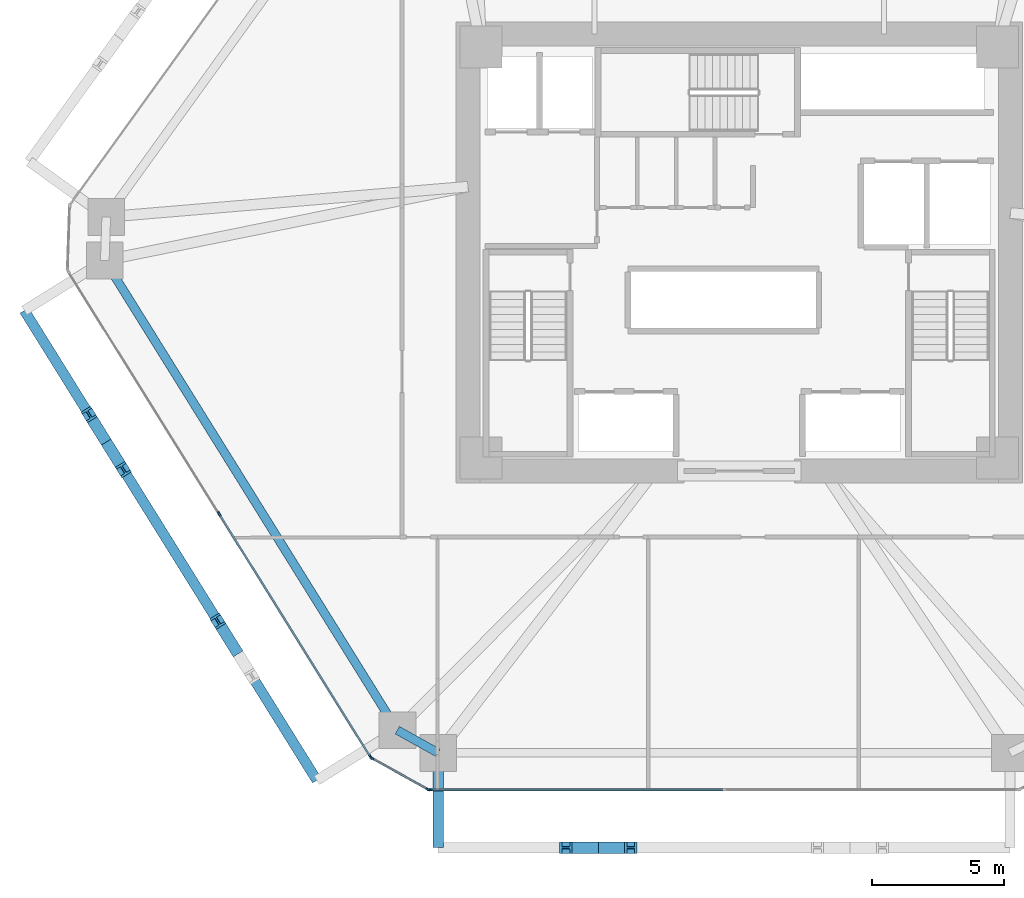
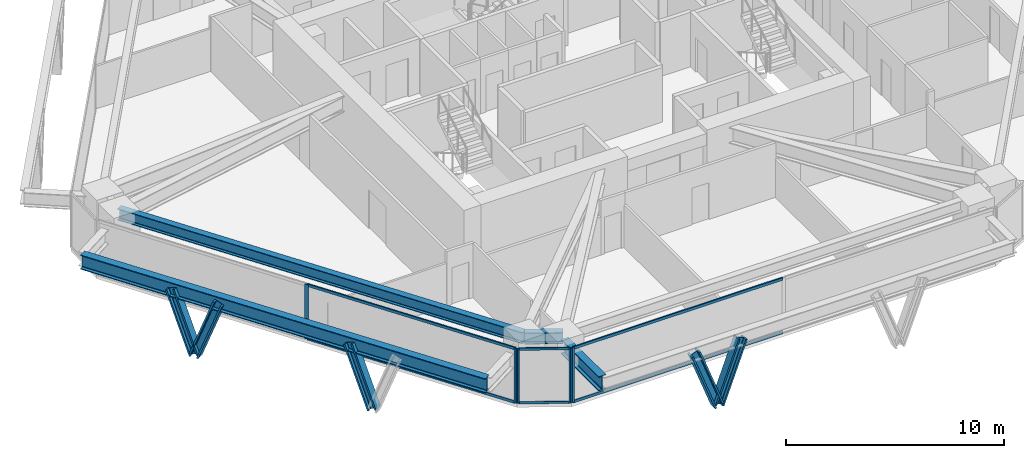
# One storey, part 2 of 15: 16 members, 4 beams, 3 elements without a shape of their own.
"""IFC4 building model written with IfcOpenShell, lengths in metres."""

from ifc_helpers import new_model, si_unit, direction, frame, origin, origin_2d, place, context, subcontext, project, spatial, rectangle, i_section, extrude, source, transform, mapped, material, layer, layer_set, material_profile, profile_set, type_object, type_shapes, element, aggregate, save


model = new_model("IFC4")

# Units and contexts
model_context = context("Model", 3, precision=1e-05, world=origin(), true_north=direction((0.0, 1.0)))
body_context = subcontext(model_context, "Body", "Model", "MODEL_VIEW")
ifc_project = project(units=[si_unit("LENGTHUNIT", "METRE"), si_unit("AREAUNIT", "SQUARE_METRE"), si_unit("VOLUMEUNIT", "CUBIC_METRE"), si_unit("PLANEANGLEUNIT", "RADIAN"), si_unit("MASSUNIT", "GRAM", prefix="KILO")], contexts=[model_context])

# Site, building, storey
site_placement = place(None, origin())
site = spatial("IfcSite", under=ifc_project, at=site_placement, CompositionType="ELEMENT")
building_placement = place(site_placement, origin())
building = spatial("IfcBuilding", under=site, at=building_placement, Name="Durnholm Broadcast Tower", CompositionType="ELEMENT")
storey_placement = place(building_placement, frame((0.0, 0.0, 55.5)))
storey = spatial("IfcBuildingStorey", under=building, at=storey_placement, Name="L13", CompositionType="ELEMENT", Elevation=55.5)

# Beams
ifc_material_1 = material(Name="Steel ASTM A992 Grade 50", Category="steel")
ifc_material_profile_1 = material_profile(ifc_material_1, i_section(OverallWidth=0.3291015625, OverallDepth=0.635009765625, WebThickness=0.017822265625, FlangeThickness=0.031005859375, FilletRadius=0.02783203125, at=origin_2d()), Name="W24X162")
ifc_profile_set_1 = profile_set([ifc_material_profile_1], Name="Steel ASTM A992 Grade 50")
beam_type_1 = type_object("IfcBeamType", Name="STL-SP-W24X162", PredefinedType="SPANDREL", material=ifc_profile_set_1)
shared_shape_1 = source(origin(), body_context, "Body", "SweptSolid", [
    extrude(i_section(OverallWidth=0.3291015625, OverallDepth=0.635009765625, WebThickness=0.017822265625, FlangeThickness=0.031005859375, FilletRadius=0.02783203125, at=origin_2d()), origin(), (0.0, 0.0, 1.0), 21.014404296875),
])
beam_1_placement = place(storey_placement, frame((-12.982666015625, -18.138427734375, 2.7275390625), z_axis=(-0.528595731543, 0.848873696491, 0.0), x_axis=(-0.848873696491, -0.528595731543, 0.0)))
element("IfcBeam", 1, at=beam_1_placement, inside=storey, type_object=beam_type_1, Name="L13 perimeter spandrel girder 01", PredefinedType="SPANDREL", context=body_context, shape_type="MappedRepresentation", body=[
    mapped(shared_shape_1, transform((0.0, 0.0, 0.0), x_axis=(1.0, 0.0, 0.0), y_axis=(0.0, 1.0, 0.0), z_axis=(0.0, 0.0, 1.0), scale=1.0)),
])
shared_shape_2 = source(origin(), body_context, "Body", "SweptSolid", [
    extrude(i_section(OverallWidth=0.3291015625, OverallDepth=0.635009765625, WebThickness=0.017822265625, FlangeThickness=0.031005859375, FilletRadius=0.02783203125, at=origin_2d()), origin(), (0.0, 0.0, 1.0), 1.774658203125),
])
type_shapes(beam_type_1, [shared_shape_1, shared_shape_2])
beam_2_placement = place(storey_placement, frame((-11.43115234375, -19.0, 2.7275390625), z_axis=(-0.874248107979, 0.485479397806, 0.0), x_axis=(-0.485479397806, -0.874248107979, 0.0)))
element("IfcBeam", 2, at=beam_2_placement, inside=storey, type_object=beam_type_1, Name="L13 perimeter spandrel girder 12", PredefinedType="SPANDREL", context=body_context, shape_type="MappedRepresentation", body=[
    mapped(shared_shape_2, transform((0.0, 0.0, 0.0), x_axis=(1.0, 0.0, 0.0), y_axis=(0.0, 1.0, 0.0), z_axis=(0.0, 0.0, 1.0), scale=1.0)),
])
ifc_material_profile_2 = material_profile(ifc_material_1, i_section(OverallWidth=0.385009765625, OverallDepth=0.802978515625, WebThickness=0.023681640625, FlangeThickness=0.0419921875, FilletRadius=0.032958984375, at=origin_2d()), Name="W30X261")
ifc_profile_set_2 = profile_set([ifc_material_profile_2], Name="Steel ASTM A992 Grade 50")
beam_type_2 = type_object("IfcBeamType", Name="BM-EXO-TIE", PredefinedType="USERDEFINED", material=ifc_profile_set_2)
shared_shape_3 = source(origin(), body_context, "Body", "SweptSolid", [
    extrude(i_section(OverallWidth=0.385009765625, OverallDepth=0.802978515625, WebThickness=0.023681640625, FlangeThickness=0.0419921875, FilletRadius=0.032958984375, at=origin_2d()), origin(), (0.0, 0.0, 1.0), 3.4560546875),
])
beam_3_placement = place(storey_placement, frame((-11.43115234375, -19.14404296875, 2.30859375), z_axis=(0.0, -1.0, 0.0), x_axis=(1.0, 0.0, 0.0)))
element("IfcBeam", 3, at=beam_3_placement, inside=storey, type_object=beam_type_2, Name="L13 exoskeleton stand-off tie bracket F1.1", ObjectType="GIRDER", PredefinedType="USERDEFINED", context=body_context, shape_type="MappedRepresentation", body=[
    mapped(shared_shape_3, transform((0.0, 0.0, 0.0), x_axis=(1.0, 0.0, 0.0), y_axis=(0.0, 1.0, 0.0), z_axis=(0.0, 0.0, 1.0), scale=1.0)),
])
shared_shape_4 = source(origin(), body_context, "Body", "SweptSolid", [
    extrude(i_section(OverallWidth=0.385009765625, OverallDepth=0.802978515625, WebThickness=0.023681640625, FlangeThickness=0.0419921875, FilletRadius=0.032958984375, at=origin_2d()), origin(), (0.0, 0.0, 1.0), 21.0146484375),
])
type_shapes(beam_type_2, [shared_shape_3, shared_shape_4])
beam_4_placement = place(storey_placement, frame((-27.146728515625, -2.20263671875, 2.30859375), z_axis=(0.528590518575, -0.848876942597, 0.0), x_axis=(0.848876942597, 0.528590518575, 0.0)))
element("IfcBeam", 4, at=beam_4_placement, inside=storey, type_object=beam_type_2, Name="L13 exoskeleton collector spandrel F6", PredefinedType="SPANDREL", context=body_context, shape_type="MappedRepresentation", body=[
    mapped(shared_shape_4, transform((0.0, 0.0, 0.0), x_axis=(1.0, 0.0, 0.0), y_axis=(0.0, 1.0, 0.0), z_axis=(0.0, 0.0, 1.0), scale=1.0)),
])

# Members
ifc_material_2 = material(Name="Steel ASTM A913 Grade 65", Category="steel")
ifc_material_profile_3 = material_profile(ifc_material_2, i_section(OverallWidth=0.43212890625, OverallDepth=0.497802734375, WebThickness=0.0556640625, FlangeThickness=0.0888671875, FilletRadius=0.030517578125, at=origin_2d()), Name="W14X500")
ifc_profile_set_3 = profile_set([ifc_material_profile_3], Name="Steel ASTM A913 Grade 65")
member_type_1 = type_object("IfcMemberType", Name="STL-DG-W14X500", PredefinedType="BRACE", material=ifc_profile_set_3)
shared_shape_5 = source(origin(), body_context, "Body", "SweptSolid", [
    extrude(i_section(OverallWidth=0.43212890625, OverallDepth=0.497802734375, WebThickness=0.0556640625, FlangeThickness=0.0888671875, FilletRadius=0.030517578125, at=origin_2d()), origin(), (0.0, 0.0, 1.0), 3.523193359375),
])
type_shapes(member_type_1, [shared_shape_5])
for number, where, z_axis, x_axis, name in (
    (5, (-5.351318359375, -22.60009765625, -0.991455078125), (-0.350219588454, 0.0, 0.936667625075), (0.0, -1.0, 0.0), "L13 stand-off diagrid brace F1.D1.1"),
    (6, (-5.351318359375, -22.60009765625, -0.991455078125), (0.350219588454, 0.0, 0.936667625075), (0.0, 1.0, 0.0), "L13 stand-off diagrid brace F1.D1.2"),
    (7, (-24.036376953125, -7.197509765625, -0.991455078125), (-0.185157304084, 0.297277258428, 0.936665897941), (-0.848819847179, -0.528682198523, 0.0), "L13 stand-off diagrid brace F6.D1.1"),
    (8, (-24.036376953125, -7.197509765625, -0.991455078125), (0.185090383068, -0.297281072018, 0.936677913861), (0.848908635391, 0.528539618911, 0.0), "L13 stand-off diagrid brace F6.D1.2"),
    (9, (-19.14892578125, -15.04638671875, -0.991455078125), (-0.185090383068, 0.297281072018, 0.936677913861), (-0.848908635391, -0.528539618911, 0.0), "L13 stand-off diagrid brace F6.D2.1"),
):
    element("IfcMember", number, at=place(storey_placement, frame(where, z_axis=z_axis, x_axis=x_axis)), inside=storey, type_object=member_type_1, Name=name, PredefinedType="BRACE", context=body_context, shape_type="MappedRepresentation", body=[
        mapped(shared_shape_5, transform((0.0, 0.0, 0.0), x_axis=(1.0, 0.0, 0.0), y_axis=(0.0, 1.0, 0.0), z_axis=(0.0, 0.0, 1.0), scale=1.0)),
    ])

# Curtain wall, members
ifc_material_3 = material(Name="Aluminium and Solar Control IGU", Category="aluminium")
ifc_layer_1 = layer(ifc_material_3, 0.1650390625)
ifc_layer_set_1 = layer_set([ifc_layer_1], Name="Aluminium and Solar Control IGU")
curtain_wall_type_1 = type_object("IfcCurtainWallType", Name="CW-SYS-5", PredefinedType="NOTDEFINED", material=ifc_layer_set_1)
curtain_wall_1_placement = place(storey_placement, origin())
curtain_wall_1 = element("IfcCurtainWall", 10, at=curtain_wall_1_placement, inside=storey, type_object=curtain_wall_type_1, Name="L13 curtain wall CW-CORNER CW-L13-CRN-11", PredefinedType="NOTDEFINED")
ifc_material_4 = material(Name="Aluminium 6063-T6", Category="aluminium")
ifc_material_profile_4 = material_profile(ifc_material_4, rectangle(XDim=0.06494140625, YDim=0.1650390625, at=origin_2d()), Name="CWM65X165")
ifc_profile_set_4 = profile_set([ifc_material_profile_4], Name="Aluminium 6063-T6")
member_type_2 = type_object("IfcMemberType", Name="CW-SYS-5-MUL", PredefinedType="MULLION", material=ifc_profile_set_4)
shared_shape_6 = source(origin(), body_context, "Body", "SweptSolid", [
    extrude(rectangle(XDim=0.06494140625, YDim=0.1650390625, at=origin_2d()), origin(), (0.0, 0.0, 1.0), 3.06005859375),
])
type_shapes(member_type_2, [shared_shape_6])
member_1_placement = place(storey_placement, frame((-11.822265625, -20.38427734375, 0.0), z_axis=(0.0, 0.0, 1.0), x_axis=(-0.485483299359, -0.874245941394, 0.0)))
member_1 = element("IfcMember", 11, at=member_1_placement, type_object=member_type_2, Name="CW-CORNER mullion 1", PredefinedType="MULLION", context=body_context, shape_type="MappedRepresentation", body=[
    mapped(shared_shape_6, transform((0.0, 0.0, 0.0), x_axis=(1.0, 0.0, 0.0), y_axis=(0.0, 1.0, 0.0), z_axis=(0.0, 0.0, 1.0), scale=1.0)),
])
member_2_placement = place(storey_placement, frame((-13.950927734375, -19.2021484375, 0.0), z_axis=(0.0, 0.0, 1.0), x_axis=(-0.485483299359, -0.874245941394, 0.0)))
member_2 = element("IfcMember", 12, at=member_2_placement, type_object=member_type_2, Name="CW-CORNER mullion 2", PredefinedType="MULLION", context=body_context, shape_type="MappedRepresentation", body=[
    mapped(shared_shape_6, transform((0.0, 0.0, 0.0), x_axis=(1.0, 0.0, 0.0), y_axis=(0.0, 1.0, 0.0), z_axis=(0.0, 0.0, 1.0), scale=1.0)),
])
ifc_material_profile_5 = material_profile(ifc_material_4, rectangle(XDim=0.06494140625, YDim=0.1298828125, at=origin_2d()), Name="CWT65X130")
ifc_profile_set_5 = profile_set([ifc_material_profile_5], Name="Aluminium 6063-T6")
member_type_3 = type_object("IfcMemberType", Name="CW-SYS-5-TRN", PredefinedType="USERDEFINED", material=ifc_profile_set_5)
shared_shape_7 = source(origin(), body_context, "Body", "SweptSolid", [
    extrude(rectangle(XDim=0.06494140625, YDim=0.1298828125, at=origin_2d()), origin(), (0.0, 0.0, 1.0), 2.3701171875),
])
type_shapes(member_type_3, [shared_shape_7])
member_3_placement = place(storey_placement, frame((-11.8505859375, -20.368408203125, 0.032470703125), z_axis=(-0.874244723151, 0.485485493132, 0.0), x_axis=(-0.485485493132, -0.874244723151, 0.0)))
member_3 = element("IfcMember", 13, at=member_3_placement, type_object=member_type_3, Name="CW-CORNER transom 1.1", ObjectType="TRANSOM", PredefinedType="USERDEFINED", context=body_context, shape_type="MappedRepresentation", body=[
    mapped(shared_shape_7, transform((0.0, 0.0, 0.0), x_axis=(1.0, 0.0, 0.0), y_axis=(0.0, 1.0, 0.0), z_axis=(0.0, 0.0, 1.0), scale=1.0)),
])
member_4_placement = place(storey_placement, frame((-11.8505859375, -20.368408203125, 3.027587890625), z_axis=(-0.874244723151, 0.485485493132, 0.0), x_axis=(-0.485485493132, -0.874244723151, 0.0)))
member_4 = element("IfcMember", 14, at=member_4_placement, type_object=member_type_3, Name="CW-CORNER transom 1.2", ObjectType="TRANSOM", PredefinedType="USERDEFINED", context=body_context, shape_type="MappedRepresentation", body=[
    mapped(shared_shape_7, transform((0.0, 0.0, 0.0), x_axis=(1.0, 0.0, 0.0), y_axis=(0.0, 1.0, 0.0), z_axis=(0.0, 0.0, 1.0), scale=1.0)),
])
aggregate(curtain_wall_1, [member_1, member_2, member_3, member_4])

# Curtain wall, member
ifc_layer_2 = layer(ifc_material_3, 0.18994140625)
ifc_layer_set_2 = layer_set([ifc_layer_2], Name="Aluminium and Solar Control IGU")
curtain_wall_type_2 = type_object("IfcCurtainWallType", Name="CW-SYS-3", PredefinedType="NOTDEFINED", material=ifc_layer_set_2)
curtain_wall_2_placement = place(storey_placement, origin())
curtain_wall_2 = element("IfcCurtainWall", 15, at=curtain_wall_2_placement, inside=storey, type_object=curtain_wall_type_2, Name="L13 curtain wall CW-Z12-VIS CW-L13-F10", PredefinedType="NOTDEFINED")
ifc_material_profile_6 = material_profile(ifc_material_4, rectangle(XDim=0.070068359375, YDim=0.18994140625, at=origin_2d()), Name="CWM70X190")
ifc_profile_set_6 = profile_set([ifc_material_profile_6], Name="Aluminium 6063-T6")
member_type_4 = type_object("IfcMemberType", Name="CW-SYS-3-MUL", PredefinedType="MULLION", material=ifc_profile_set_6)
shared_shape_8 = source(origin(), body_context, "Body", "SweptSolid", [
    extrude(rectangle(XDim=0.070068359375, YDim=0.18994140625, at=origin_2d()), origin(), (0.0, 0.0, 1.0), 3.06005859375),
])
type_shapes(member_type_4, [shared_shape_8])
member_5_placement = place(storey_placement, frame((-11.7587890625, -20.39990234375, 0.0), z_axis=(0.0, 0.0, 1.0), x_axis=(0.0, -1.0, 0.0)))
member_5 = element("IfcMember", 16, at=member_5_placement, type_object=member_type_4, Name="CW-Z12-VIS mullion 3", PredefinedType="MULLION", context=body_context, shape_type="MappedRepresentation", body=[
    mapped(shared_shape_8, transform((0.0, 0.0, 0.0), x_axis=(1.0, 0.0, 0.0), y_axis=(0.0, 1.0, 0.0), z_axis=(0.0, 0.0, 1.0), scale=1.0)),
])

# Curtain wall, members
curtain_wall_3_placement = place(storey_placement, origin())
curtain_wall_3 = element("IfcCurtainWall", 17, at=curtain_wall_3_placement, inside=storey, type_object=curtain_wall_type_2, Name="L13 curtain wall CW-Z12-VIS CW-L13-F12", PredefinedType="NOTDEFINED")
member_6_placement = place(storey_placement, frame((-13.997802734375, -19.156494140625, 0.0), z_axis=(0.0, 0.0, 1.0), x_axis=(-0.848875785503, -0.528592376777, 0.0)))
member_6 = element("IfcMember", 18, at=member_6_placement, type_object=member_type_4, Name="CW-Z12-VIS mullion 1", PredefinedType="MULLION", context=body_context, shape_type="MappedRepresentation", body=[
    mapped(shared_shape_8, transform((0.0, 0.0, 0.0), x_axis=(1.0, 0.0, 0.0), y_axis=(0.0, 1.0, 0.0), z_axis=(0.0, 0.0, 1.0), scale=1.0)),
])
member_7_placement = place(storey_placement, frame((-19.741943359375, -9.93212890625, 0.0), z_axis=(0.0, 0.0, 1.0), x_axis=(-0.848875785503, -0.528592376777, 0.0)))
member_7 = element("IfcMember", 19, at=member_7_placement, type_object=member_type_4, Name="CW-Z12-VIS mullion 2", PredefinedType="MULLION", context=body_context, shape_type="MappedRepresentation", body=[
    mapped(shared_shape_8, transform((0.0, 0.0, 0.0), x_axis=(1.0, 0.0, 0.0), y_axis=(0.0, 1.0, 0.0), z_axis=(0.0, 0.0, 1.0), scale=1.0)),
])
ifc_material_profile_7 = material_profile(ifc_material_4, rectangle(XDim=0.070068359375, YDim=0.14990234375, at=origin_2d()), Name="CWT70X150")
ifc_profile_set_7 = profile_set([ifc_material_profile_7], Name="Aluminium 6063-T6")
member_type_5 = type_object("IfcMemberType", Name="CW-SYS-3-TRN", PredefinedType="USERDEFINED", material=ifc_profile_set_7)
shared_shape_9 = source(origin(), body_context, "Body", "SweptSolid", [
    extrude(rectangle(XDim=0.070068359375, YDim=0.14990234375, at=origin_2d()), origin(), (0.0, 0.0, 1.0), 10.796630859375),
])
member_8_placement = place(storey_placement, frame((-14.016357421875, -19.126953125, 0.034912109375), z_axis=(-0.528591657678, 0.848876233283, 0.0), x_axis=(-0.848876233283, -0.528591657678, 0.0)))
member_8 = element("IfcMember", 20, at=member_8_placement, type_object=member_type_5, Name="CW-Z12-VIS transom 1.1", ObjectType="TRANSOM", PredefinedType="USERDEFINED", context=body_context, shape_type="MappedRepresentation", body=[
    mapped(shared_shape_9, transform((0.0, 0.0, 0.0), x_axis=(1.0, 0.0, 0.0), y_axis=(0.0, 1.0, 0.0), z_axis=(0.0, 0.0, 1.0), scale=1.0)),
])
member_9_placement = place(storey_placement, frame((-14.016357421875, -19.126953125, 3.02490234375), z_axis=(-0.528591657678, 0.848876233283, 0.0), x_axis=(-0.848876233283, -0.528591657678, 0.0)))
member_9 = element("IfcMember", 21, at=member_9_placement, type_object=member_type_5, Name="CW-Z12-VIS transom 1.2", ObjectType="TRANSOM", PredefinedType="USERDEFINED", context=body_context, shape_type="MappedRepresentation", body=[
    mapped(shared_shape_9, transform((0.0, 0.0, 0.0), x_axis=(1.0, 0.0, 0.0), y_axis=(0.0, 1.0, 0.0), z_axis=(0.0, 0.0, 1.0), scale=1.0)),
])
aggregate(curtain_wall_3, [member_6, member_7, member_8, member_9])

# Member
shared_shape_10 = source(origin(), body_context, "Body", "SweptSolid", [
    extrude(rectangle(XDim=0.070068359375, YDim=0.14990234375, at=origin_2d()), origin(), (0.0, 0.0, 1.0), 11.10205078125),
])
type_shapes(member_type_5, [shared_shape_9, shared_shape_10])
member_10_placement = place(storey_placement, frame((-0.621826171875, -20.39990234375, 0.034912109375), z_axis=(-1.0, 0.0, 0.0), x_axis=(0.0, -1.0, 0.0)))
member_10 = element("IfcMember", 22, at=member_10_placement, type_object=member_type_5, Name="CW-Z12-VIS transom 2.1", ObjectType="TRANSOM", PredefinedType="USERDEFINED", context=body_context, shape_type="MappedRepresentation", body=[
    mapped(shared_shape_10, transform((0.0, 0.0, 0.0), x_axis=(1.0, 0.0, 0.0), y_axis=(0.0, 1.0, 0.0), z_axis=(0.0, 0.0, 1.0), scale=1.0)),
])

member_11_placement = place(storey_placement, frame((-0.621826171875, -20.39990234375, 3.02490234375), z_axis=(-1.0, 0.0, 0.0), x_axis=(0.0, -1.0, 0.0)))
member_11 = element("IfcMember", 23, at=member_11_placement, type_object=member_type_5, Name="CW-Z12-VIS transom 2.2", ObjectType="TRANSOM", PredefinedType="USERDEFINED", context=body_context, shape_type="MappedRepresentation", body=[
    mapped(shared_shape_10, transform((0.0, 0.0, 0.0), x_axis=(1.0, 0.0, 0.0), y_axis=(0.0, 1.0, 0.0), z_axis=(0.0, 0.0, 1.0), scale=1.0)),
])

aggregate(curtain_wall_2, [member_5, member_10, member_11])

save(model, "model.ifc")
